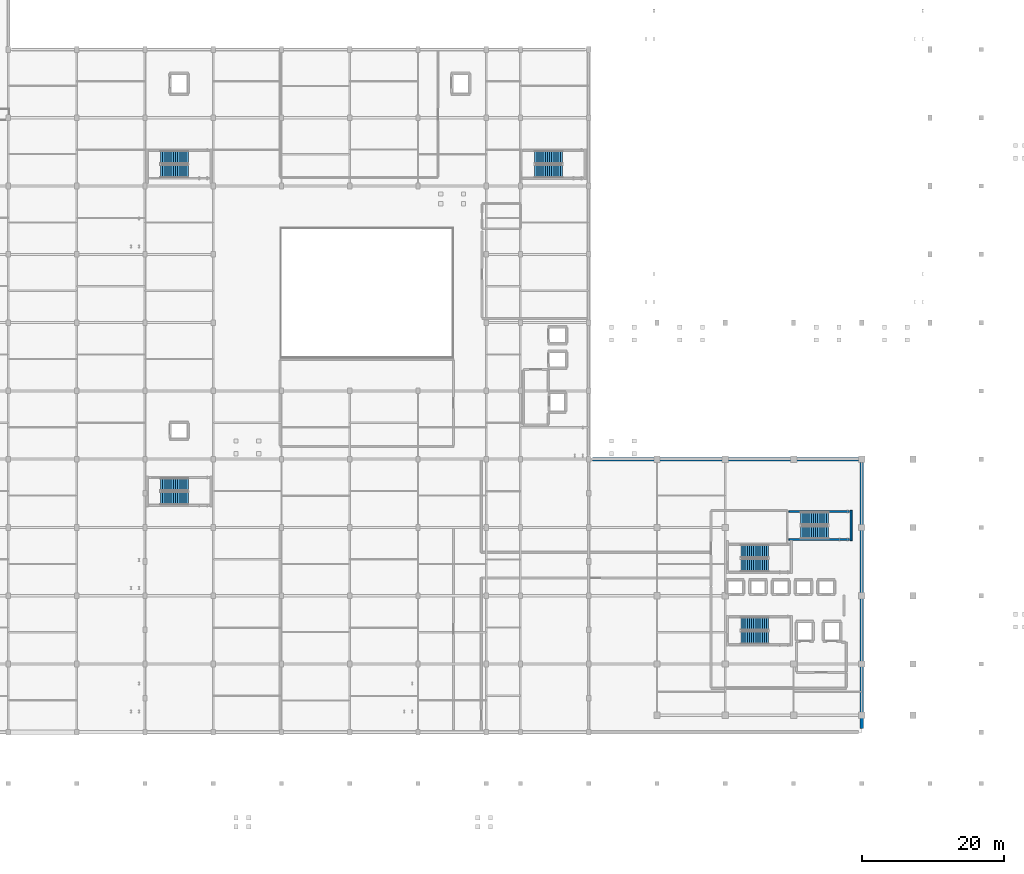
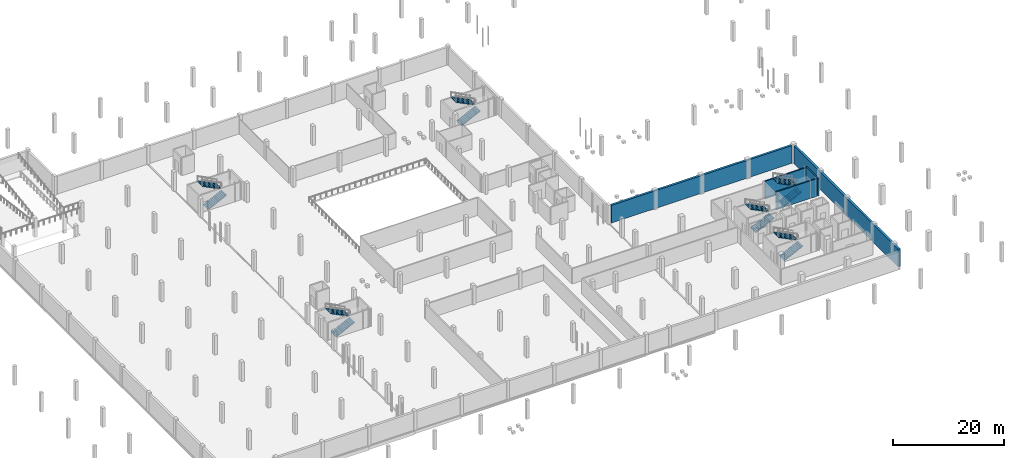
# One storey, part 37 of 47: 12 stair flights, 5 walls, 6 elements without a shape of their own.
"""IFC4 building model written with IfcOpenShell, lengths in metres."""

from ifc_helpers import new_model, si_unit, direction, frame, frame_2d, origin, place, context, subcontext, project, spatial, polyline, rectangle, outline, extrude, material, layer, layer_set, type_object, element, aggregate, save


model = new_model("IFC4")

# Units and contexts
model_context = context("Model", 3, precision=1e-05, world=origin(), true_north=direction((0.0, 1.0)))
body_context = subcontext(model_context, "Body", "Model", "MODEL_VIEW")
ifc_project = project(units=[si_unit("LENGTHUNIT", "METRE"), si_unit("AREAUNIT", "SQUARE_METRE"), si_unit("VOLUMEUNIT", "CUBIC_METRE"), si_unit("PLANEANGLEUNIT", "RADIAN"), si_unit("MASSUNIT", "GRAM", prefix="KILO")], contexts=[model_context])

# Site, building, storey
site_placement = place(None, origin())
site = spatial("IfcSite", under=ifc_project, at=site_placement, CompositionType="ELEMENT")
building_placement = place(site_placement, origin())
building = spatial("IfcBuilding", under=site, at=building_placement, Name="Zevrakil Square Congress Hotel", CompositionType="ELEMENT")
storey_placement = place(building_placement, frame((0.0, 0.0, -4.199951171875)))
storey = spatial("IfcBuildingStorey", under=building, at=storey_placement, Name="B1", CompositionType="ELEMENT", Elevation=-4.199951171875)

# Walls
ifc_material_1 = material(Name="Concrete C40/50", Category="concrete")
ifc_layer_1 = layer(ifc_material_1, 0.449951171875)
ifc_layer_set_1 = layer_set([ifc_layer_1], Name="Concrete C40/50")
wall_type_1 = type_object("IfcWallType", Name="WAL-RET-450", PredefinedType="SOLIDWALL", material=ifc_layer_set_1)
wall_1_placement = place(storey_placement, frame((156.0, 7.699951171875, 0.0), z_axis=(0.0, 0.0, 1.0), x_axis=(0.0, 1.0, 0.0)))
element("IfcWall", 1, at=wall_1_placement, inside=storey, type_object=wall_type_1, Name="B1 perimeter concrete retaining wall 2", PredefinedType="SOLIDWALL", context=body_context, shape_type="SweptSolid", body=[
    extrude(rectangle(XDim=37.400146484375, YDim=0.449951171875, at=frame_2d((18.7001953125, 0.0))), origin(), (0.0, 0.0, 1.0), 3.8798828125),
])
wall_2_placement = place(storey_placement, frame((155.5, 45.60009765625, 0.0), z_axis=(0.0, 0.0, 1.0), x_axis=(-1.0, 0.0, 0.0)))
element("IfcWall", 2, at=wall_2_placement, inside=storey, type_object=wall_type_1, Name="B1 perimeter concrete retaining wall 3", PredefinedType="SOLIDWALL", context=body_context, shape_type="SweptSolid", body=[
    extrude(rectangle(XDim=37.39990234375, YDim=0.449951171875, at=frame_2d((18.699951171875, 0.0))), origin(), (0.0, 0.0, 1.0), 3.8798828125),
])
ifc_material_2 = material(Name="Concrete C40/50", Category="concrete")
ifc_layer_2 = layer(ifc_material_2, 0.260009765625)
ifc_layer_set_2 = layer_set([ifc_layer_2], Name="Concrete C40/50")
wall_type_2 = type_object("IfcWallType", Name="WAL-SHAFT-260", PredefinedType="SHEAR", material=ifc_layer_set_2)
wall_3_placement = place(storey_placement, frame((154.4951171875, 34.139892578125, 0.0), z_axis=(0.0, 0.0, 1.0), x_axis=(0.0, 1.0, 0.0)))
element("IfcWall", 3, at=wall_3_placement, inside=storey, type_object=wall_type_2, Name="B1 ST03 stair shaft E wall", PredefinedType="SHEAR", context=body_context, shape_type="SweptSolid", body=[
    extrude(rectangle(XDim=4.27001953125, YDim=0.260009765625, at=frame_2d((2.135009765625, 0.0))), origin(), (0.0, 0.0, 1.0), 3.8798828125),
])
for number, where, z_axis, x_axis, name in (
    (4, (145.739990234375, 34.304931640625, 0.0), (0.0, 0.0, 1.0), (1.0, 0.0, 0.0), "B1 ST03 stair shaft S wall"),
    (5, (145.739990234375, 38.2451171875, 0.0), (0.0, 0.0, 1.0), (1.0, 0.0, 0.0), "B1 ST03 stair shaft N wall"),
):
    element("IfcWall", number, at=place(storey_placement, frame(where, z_axis=z_axis, x_axis=x_axis)), inside=storey, type_object=wall_type_2, Name=name, PredefinedType="SHEAR", context=body_context, shape_type="SweptSolid", body=[
        extrude(rectangle(XDim=8.52001953125, YDim=0.260009765625, at=frame_2d((4.260009765625, 0.0))), origin(), (0.0, 0.0, 1.0), 3.8798828125),
    ])

# Stair, stair flights
ifc_material_3 = material(Name="Concrete C35/45", Category="concrete")
stair_type = type_object("IfcStairType", Name="STR-DOGLEG-180", PredefinedType="HALF_TURN_STAIR", material=ifc_material_3)
stair_1_placement = place(storey_placement, origin())
stair_1 = element("IfcStair", 6, at=stair_1_placement, inside=storey, type_object=stair_type, Name="B1 Protected exit stair ST01", PredefinedType="HALF_TURN_STAIR")
ifc_material_4 = material(Name="Concrete C35/45", Category="concrete")
ifc_layer_3 = layer(ifc_material_4, 0.159912109375)
ifc_layer_set_3 = layer_set([ifc_layer_3], Name="Concrete C35/45")
stair_flight_type = type_object("IfcStairFlightType", Name="SFL-STRAIGHT-180", PredefinedType="STRAIGHT", material=ifc_layer_set_3)
stair_flight_1_placement = place(storey_placement, frame((139.0, 20.5, 0.0), z_axis=(0.0, 0.0, 1.0), x_axis=(1.0, 0.0, 0.0)))
stair_flight_1 = element("IfcStairFlight", 7, at=stair_flight_1_placement, type_object=stair_flight_type, Name="ST01 flight 1", NumberOfRisers=14, NumberOfTreads=13, PredefinedType="STRAIGHT", RiserHeight=0.15, TreadLength=0.3, context=body_context, shape_type="SweptSolid", body=[
    extrude(outline(polyline([(0.0, 0.0), (0.0, 0.14990234375), (0.300048828125, 0.14990234375), (0.300048828125, 0.300048828125), (0.60009765625, 0.300048828125), (0.60009765625, 0.449951171875), (0.89990234375, 0.449951171875), (0.89990234375, 0.60009765625), (1.199951171875, 0.60009765625), (1.199951171875, 0.75), (1.5, 0.75), (1.5, 0.89990234375), (1.800048828125, 0.89990234375), (1.800048828125, 1.050048828125), (2.10009765625, 1.050048828125), (2.10009765625, 1.199951171875), (2.39990234375, 1.199951171875), (2.39990234375, 1.35009765625), (2.699951171875, 1.35009765625), (2.699951171875, 1.5), (3.0, 1.5), (3.0, 1.64990234375), (3.300048828125, 1.64990234375), (3.300048828125, 1.800048828125), (3.60009765625, 1.800048828125), (3.60009765625, 1.949951171875), (3.89990234375, 1.949951171875), (3.89990234375, 2.10009765625), (3.89990234375, 1.782470703125), (0.335205078125, 0.0), (0.0, 0.0)])), frame((0.0, 0.89990234375, 0.0), z_axis=(0.0, -1.0, 0.0), x_axis=(1.0, 0.0, 0.0)), (0.0, 0.0, 1.0), 1.800048828125),
])
stair_flight_2_placement = place(storey_placement, frame((142.89990234375, 22.449951171875, 2.099853515625), z_axis=(0.0, 0.0, 1.0), x_axis=(-1.0, 0.0, 0.0)))
stair_flight_2 = element("IfcStairFlight", 8, at=stair_flight_2_placement, type_object=stair_flight_type, Name="ST01 flight 2", NumberOfRisers=14, NumberOfTreads=13, PredefinedType="STRAIGHT", RiserHeight=0.15, TreadLength=0.3, context=body_context, shape_type="SweptSolid", body=[
    extrude(outline(polyline([(0.0, 0.0), (0.0, 0.14990234375), (0.300048828125, 0.14990234375), (0.300048828125, 0.300048828125), (0.60009765625, 0.300048828125), (0.60009765625, 0.449951171875), (0.89990234375, 0.449951171875), (0.89990234375, 0.60009765625), (1.199951171875, 0.60009765625), (1.199951171875, 0.75), (1.5, 0.75), (1.5, 0.89990234375), (1.800048828125, 0.89990234375), (1.800048828125, 1.050048828125), (2.10009765625, 1.050048828125), (2.10009765625, 1.199951171875), (2.39990234375, 1.199951171875), (2.39990234375, 1.35009765625), (2.699951171875, 1.35009765625), (2.699951171875, 1.5), (3.0, 1.5), (3.0, 1.64990234375), (3.300048828125, 1.64990234375), (3.300048828125, 1.800048828125), (3.60009765625, 1.800048828125), (3.60009765625, 1.949951171875), (3.89990234375, 1.949951171875), (3.89990234375, 2.10009765625), (3.89990234375, 1.782470703125), (0.335205078125, 0.0), (0.0, 0.0)])), frame((0.0, 0.89990234375, 0.0), z_axis=(0.0, -1.0, 0.0), x_axis=(1.0, 0.0, 0.0)), (0.0, 0.0, 1.0), 1.800048828125),
])
aggregate(stair_1, [stair_flight_1, stair_flight_2])

stair_2_placement = place(storey_placement, origin())
stair_2 = element("IfcStair", 9, at=stair_2_placement, inside=storey, type_object=stair_type, Name="B1 Protected exit stair ST02", PredefinedType="HALF_TURN_STAIR")
stair_flight_3_placement = place(storey_placement, frame((139.0, 30.699951171875, 0.0), z_axis=(0.0, 0.0, 1.0), x_axis=(1.0, 0.0, 0.0)))
stair_flight_3 = element("IfcStairFlight", 10, at=stair_flight_3_placement, type_object=stair_flight_type, Name="ST02 flight 1", NumberOfRisers=14, NumberOfTreads=13, PredefinedType="STRAIGHT", RiserHeight=0.15, TreadLength=0.3, context=body_context, shape_type="SweptSolid", body=[
    extrude(outline(polyline([(0.0, 0.0), (0.0, 0.14990234375), (0.300048828125, 0.14990234375), (0.300048828125, 0.300048828125), (0.60009765625, 0.300048828125), (0.60009765625, 0.449951171875), (0.89990234375, 0.449951171875), (0.89990234375, 0.60009765625), (1.199951171875, 0.60009765625), (1.199951171875, 0.75), (1.5, 0.75), (1.5, 0.89990234375), (1.800048828125, 0.89990234375), (1.800048828125, 1.050048828125), (2.10009765625, 1.050048828125), (2.10009765625, 1.199951171875), (2.39990234375, 1.199951171875), (2.39990234375, 1.35009765625), (2.699951171875, 1.35009765625), (2.699951171875, 1.5), (3.0, 1.5), (3.0, 1.64990234375), (3.300048828125, 1.64990234375), (3.300048828125, 1.800048828125), (3.60009765625, 1.800048828125), (3.60009765625, 1.949951171875), (3.89990234375, 1.949951171875), (3.89990234375, 2.10009765625), (3.89990234375, 1.782470703125), (0.335205078125, 0.0), (0.0, 0.0)])), frame((0.0, 0.89990234375, 0.0), z_axis=(0.0, -1.0, 0.0), x_axis=(1.0, 0.0, 0.0)), (0.0, 0.0, 1.0), 1.800048828125),
])
stair_flight_4_placement = place(storey_placement, frame((142.89990234375, 32.64990234375, 2.099853515625), z_axis=(0.0, 0.0, 1.0), x_axis=(-1.0, 0.0, 0.0)))
stair_flight_4 = element("IfcStairFlight", 11, at=stair_flight_4_placement, type_object=stair_flight_type, Name="ST02 flight 2", NumberOfRisers=14, NumberOfTreads=13, PredefinedType="STRAIGHT", RiserHeight=0.15, TreadLength=0.3, context=body_context, shape_type="SweptSolid", body=[
    extrude(outline(polyline([(0.0, 0.0), (0.0, 0.14990234375), (0.300048828125, 0.14990234375), (0.300048828125, 0.300048828125), (0.60009765625, 0.300048828125), (0.60009765625, 0.449951171875), (0.89990234375, 0.449951171875), (0.89990234375, 0.60009765625), (1.199951171875, 0.60009765625), (1.199951171875, 0.75), (1.5, 0.75), (1.5, 0.89990234375), (1.800048828125, 0.89990234375), (1.800048828125, 1.050048828125), (2.10009765625, 1.050048828125), (2.10009765625, 1.199951171875), (2.39990234375, 1.199951171875), (2.39990234375, 1.35009765625), (2.699951171875, 1.35009765625), (2.699951171875, 1.5), (3.0, 1.5), (3.0, 1.64990234375), (3.300048828125, 1.64990234375), (3.300048828125, 1.800048828125), (3.60009765625, 1.800048828125), (3.60009765625, 1.949951171875), (3.89990234375, 1.949951171875), (3.89990234375, 2.10009765625), (3.89990234375, 1.782470703125), (0.335205078125, 0.0), (0.0, 0.0)])), frame((0.0, 0.89990234375, 0.0), z_axis=(0.0, -1.0, 0.0), x_axis=(1.0, 0.0, 0.0)), (0.0, 0.0, 1.0), 1.800048828125),
])
aggregate(stair_2, [stair_flight_3, stair_flight_4])

stair_3_placement = place(storey_placement, origin())
stair_3 = element("IfcStair", 12, at=stair_3_placement, inside=storey, type_object=stair_type, Name="B1 Protected exit stair ST03", PredefinedType="HALF_TURN_STAIR")
stair_flight_5_placement = place(storey_placement, frame((147.39990234375, 35.300048828125, 0.0), z_axis=(0.0, 0.0, 1.0), x_axis=(1.0, 0.0, 0.0)))
stair_flight_5 = element("IfcStairFlight", 13, at=stair_flight_5_placement, type_object=stair_flight_type, Name="ST03 flight 1", NumberOfRisers=14, NumberOfTreads=13, PredefinedType="STRAIGHT", RiserHeight=0.15, TreadLength=0.3, context=body_context, shape_type="SweptSolid", body=[
    extrude(outline(polyline([(0.0, 0.0), (0.0, 0.14990234375), (0.300048828125, 0.14990234375), (0.300048828125, 0.300048828125), (0.60009765625, 0.300048828125), (0.60009765625, 0.449951171875), (0.89990234375, 0.449951171875), (0.89990234375, 0.60009765625), (1.199951171875, 0.60009765625), (1.199951171875, 0.75), (1.5, 0.75), (1.5, 0.89990234375), (1.800048828125, 0.89990234375), (1.800048828125, 1.050048828125), (2.10009765625, 1.050048828125), (2.10009765625, 1.199951171875), (2.39990234375, 1.199951171875), (2.39990234375, 1.35009765625), (2.699951171875, 1.35009765625), (2.699951171875, 1.5), (3.0, 1.5), (3.0, 1.64990234375), (3.300048828125, 1.64990234375), (3.300048828125, 1.800048828125), (3.60009765625, 1.800048828125), (3.60009765625, 1.949951171875), (3.89990234375, 1.949951171875), (3.89990234375, 2.10009765625), (3.89990234375, 1.782470703125), (0.335205078125, 0.0), (0.0, 0.0)])), frame((0.0, 0.89990234375, 0.0), z_axis=(0.0, -1.0, 0.0), x_axis=(1.0, 0.0, 0.0)), (0.0, 0.0, 1.0), 1.800048828125),
])
stair_flight_6_placement = place(storey_placement, frame((151.300048828125, 37.25, 2.099853515625), z_axis=(0.0, 0.0, 1.0), x_axis=(-1.0, 0.0, 0.0)))
stair_flight_6 = element("IfcStairFlight", 14, at=stair_flight_6_placement, type_object=stair_flight_type, Name="ST03 flight 2", NumberOfRisers=14, NumberOfTreads=13, PredefinedType="STRAIGHT", RiserHeight=0.15, TreadLength=0.3, context=body_context, shape_type="SweptSolid", body=[
    extrude(outline(polyline([(0.0, 0.0), (0.0, 0.14990234375), (0.300048828125, 0.14990234375), (0.300048828125, 0.300048828125), (0.60009765625, 0.300048828125), (0.60009765625, 0.449951171875), (0.89990234375, 0.449951171875), (0.89990234375, 0.60009765625), (1.199951171875, 0.60009765625), (1.199951171875, 0.75), (1.5, 0.75), (1.5, 0.89990234375), (1.800048828125, 0.89990234375), (1.800048828125, 1.050048828125), (2.10009765625, 1.050048828125), (2.10009765625, 1.199951171875), (2.39990234375, 1.199951171875), (2.39990234375, 1.35009765625), (2.699951171875, 1.35009765625), (2.699951171875, 1.5), (3.0, 1.5), (3.0, 1.64990234375), (3.300048828125, 1.64990234375), (3.300048828125, 1.800048828125), (3.60009765625, 1.800048828125), (3.60009765625, 1.949951171875), (3.89990234375, 1.949951171875), (3.89990234375, 2.10009765625), (3.89990234375, 1.782470703125), (0.335205078125, 0.0), (0.0, 0.0)])), frame((0.0, 0.89990234375, 0.0), z_axis=(0.0, -1.0, 0.0), x_axis=(1.0, 0.0, 0.0)), (0.0, 0.0, 1.0), 1.800048828125),
])
aggregate(stair_3, [stair_flight_5, stair_flight_6])

stair_4_placement = place(storey_placement, origin())
stair_4 = element("IfcStair", 15, at=stair_4_placement, inside=storey, type_object=stair_type, Name="B1 Protected exit stair ST04", PredefinedType="HALF_TURN_STAIR")
stair_flight_7_placement = place(storey_placement, frame((57.39990234375, 40.10009765625, 0.0), z_axis=(0.0, 0.0, 1.0), x_axis=(1.0, 0.0, 0.0)))
stair_flight_7 = element("IfcStairFlight", 16, at=stair_flight_7_placement, type_object=stair_flight_type, Name="ST04 flight 1", NumberOfRisers=14, NumberOfTreads=13, PredefinedType="STRAIGHT", RiserHeight=0.15, TreadLength=0.3, context=body_context, shape_type="SweptSolid", body=[
    extrude(outline(polyline([(0.0, 0.0), (0.0, 0.14990234375), (0.300048828125, 0.14990234375), (0.300048828125, 0.300048828125), (0.60009765625, 0.300048828125), (0.60009765625, 0.449951171875), (0.89990234375, 0.449951171875), (0.89990234375, 0.60009765625), (1.199951171875, 0.60009765625), (1.199951171875, 0.75), (1.5, 0.75), (1.5, 0.89990234375), (1.800048828125, 0.89990234375), (1.800048828125, 1.050048828125), (2.10009765625, 1.050048828125), (2.10009765625, 1.199951171875), (2.39990234375, 1.199951171875), (2.39990234375, 1.35009765625), (2.699951171875, 1.35009765625), (2.699951171875, 1.5), (3.0, 1.5), (3.0, 1.64990234375), (3.300048828125, 1.64990234375), (3.300048828125, 1.800048828125), (3.60009765625, 1.800048828125), (3.60009765625, 1.949951171875), (3.89990234375, 1.949951171875), (3.89990234375, 2.10009765625), (3.89990234375, 1.782470703125), (0.335205078125, 0.0), (0.0, 0.0)])), frame((0.0, 0.89990234375, 0.0), z_axis=(0.0, -1.0, 0.0), x_axis=(1.0, 0.0, 0.0)), (0.0, 0.0, 1.0), 1.800048828125),
])
stair_flight_8_placement = place(storey_placement, frame((61.300048828125, 42.050048828125, 2.099853515625), z_axis=(0.0, 0.0, 1.0), x_axis=(-1.0, 0.0, 0.0)))
stair_flight_8 = element("IfcStairFlight", 17, at=stair_flight_8_placement, type_object=stair_flight_type, Name="ST04 flight 2", NumberOfRisers=14, NumberOfTreads=13, PredefinedType="STRAIGHT", RiserHeight=0.15, TreadLength=0.3, context=body_context, shape_type="SweptSolid", body=[
    extrude(outline(polyline([(0.0, 0.0), (0.0, 0.14990234375), (0.300048828125, 0.14990234375), (0.300048828125, 0.300048828125), (0.60009765625, 0.300048828125), (0.60009765625, 0.449951171875), (0.89990234375, 0.449951171875), (0.89990234375, 0.60009765625), (1.199951171875, 0.60009765625), (1.199951171875, 0.75), (1.5, 0.75), (1.5, 0.89990234375), (1.800048828125, 0.89990234375), (1.800048828125, 1.050048828125), (2.10009765625, 1.050048828125), (2.10009765625, 1.199951171875), (2.39990234375, 1.199951171875), (2.39990234375, 1.35009765625), (2.699951171875, 1.35009765625), (2.699951171875, 1.5), (3.0, 1.5), (3.0, 1.64990234375), (3.300048828125, 1.64990234375), (3.300048828125, 1.800048828125), (3.60009765625, 1.800048828125), (3.60009765625, 1.949951171875), (3.89990234375, 1.949951171875), (3.89990234375, 2.10009765625), (3.89990234375, 1.782470703125), (0.335205078125, 0.0), (0.0, 0.0)])), frame((0.0, 0.89990234375, 0.0), z_axis=(0.0, -1.0, 0.0), x_axis=(1.0, 0.0, 0.0)), (0.0, 0.0, 1.0), 1.800048828125),
])
aggregate(stair_4, [stair_flight_7, stair_flight_8])

stair_5_placement = place(storey_placement, origin())
stair_5 = element("IfcStair", 18, at=stair_5_placement, inside=storey, type_object=stair_type, Name="B1 Protected exit stair ST05", PredefinedType="HALF_TURN_STAIR")
stair_flight_9_placement = place(storey_placement, frame((57.39990234375, 86.10009765625, 0.0), z_axis=(0.0, 0.0, 1.0), x_axis=(1.0, 0.0, 0.0)))
stair_flight_9 = element("IfcStairFlight", 19, at=stair_flight_9_placement, type_object=stair_flight_type, Name="ST05 flight 1", NumberOfRisers=14, NumberOfTreads=13, PredefinedType="STRAIGHT", RiserHeight=0.15, TreadLength=0.3, context=body_context, shape_type="SweptSolid", body=[
    extrude(outline(polyline([(0.0, 0.0), (0.0, 0.14990234375), (0.300048828125, 0.14990234375), (0.300048828125, 0.300048828125), (0.60009765625, 0.300048828125), (0.60009765625, 0.449951171875), (0.89990234375, 0.449951171875), (0.89990234375, 0.60009765625), (1.199951171875, 0.60009765625), (1.199951171875, 0.75), (1.5, 0.75), (1.5, 0.89990234375), (1.800048828125, 0.89990234375), (1.800048828125, 1.050048828125), (2.10009765625, 1.050048828125), (2.10009765625, 1.199951171875), (2.39990234375, 1.199951171875), (2.39990234375, 1.35009765625), (2.699951171875, 1.35009765625), (2.699951171875, 1.5), (3.0, 1.5), (3.0, 1.64990234375), (3.300048828125, 1.64990234375), (3.300048828125, 1.800048828125), (3.60009765625, 1.800048828125), (3.60009765625, 1.949951171875), (3.89990234375, 1.949951171875), (3.89990234375, 2.10009765625), (3.89990234375, 1.782470703125), (0.335205078125, 0.0), (0.0, 0.0)])), frame((0.0, 0.89990234375, 0.0), z_axis=(0.0, -1.0, 0.0), x_axis=(1.0, 0.0, 0.0)), (0.0, 0.0, 1.0), 1.800048828125),
])
stair_flight_10_placement = place(storey_placement, frame((61.300048828125, 88.050048828125, 2.099853515625), z_axis=(0.0, 0.0, 1.0), x_axis=(-1.0, 0.0, 0.0)))
stair_flight_10 = element("IfcStairFlight", 20, at=stair_flight_10_placement, type_object=stair_flight_type, Name="ST05 flight 2", NumberOfRisers=14, NumberOfTreads=13, PredefinedType="STRAIGHT", RiserHeight=0.15, TreadLength=0.3, context=body_context, shape_type="SweptSolid", body=[
    extrude(outline(polyline([(0.0, 0.0), (0.0, 0.14990234375), (0.300048828125, 0.14990234375), (0.300048828125, 0.300048828125), (0.60009765625, 0.300048828125), (0.60009765625, 0.449951171875), (0.89990234375, 0.449951171875), (0.89990234375, 0.60009765625), (1.199951171875, 0.60009765625), (1.199951171875, 0.75), (1.5, 0.75), (1.5, 0.89990234375), (1.800048828125, 0.89990234375), (1.800048828125, 1.050048828125), (2.10009765625, 1.050048828125), (2.10009765625, 1.199951171875), (2.39990234375, 1.199951171875), (2.39990234375, 1.35009765625), (2.699951171875, 1.35009765625), (2.699951171875, 1.5), (3.0, 1.5), (3.0, 1.64990234375), (3.300048828125, 1.64990234375), (3.300048828125, 1.800048828125), (3.60009765625, 1.800048828125), (3.60009765625, 1.949951171875), (3.89990234375, 1.949951171875), (3.89990234375, 2.10009765625), (3.89990234375, 1.782470703125), (0.335205078125, 0.0), (0.0, 0.0)])), frame((0.0, 0.89990234375, 0.0), z_axis=(0.0, -1.0, 0.0), x_axis=(1.0, 0.0, 0.0)), (0.0, 0.0, 1.0), 1.800048828125),
])
aggregate(stair_5, [stair_flight_9, stair_flight_10])

stair_6_placement = place(storey_placement, origin())
stair_6 = element("IfcStair", 21, at=stair_6_placement, inside=storey, type_object=stair_type, Name="B1 Protected exit stair ST06", PredefinedType="HALF_TURN_STAIR")
stair_flight_11_placement = place(storey_placement, frame((110.0, 86.10009765625, 0.0), z_axis=(0.0, 0.0, 1.0), x_axis=(1.0, 0.0, 0.0)))
stair_flight_11 = element("IfcStairFlight", 22, at=stair_flight_11_placement, type_object=stair_flight_type, Name="ST06 flight 1", NumberOfRisers=14, NumberOfTreads=13, PredefinedType="STRAIGHT", RiserHeight=0.15, TreadLength=0.3, context=body_context, shape_type="SweptSolid", body=[
    extrude(outline(polyline([(0.0, 0.0), (0.0, 0.14990234375), (0.300048828125, 0.14990234375), (0.300048828125, 0.300048828125), (0.60009765625, 0.300048828125), (0.60009765625, 0.449951171875), (0.89990234375, 0.449951171875), (0.89990234375, 0.60009765625), (1.199951171875, 0.60009765625), (1.199951171875, 0.75), (1.5, 0.75), (1.5, 0.89990234375), (1.800048828125, 0.89990234375), (1.800048828125, 1.050048828125), (2.10009765625, 1.050048828125), (2.10009765625, 1.199951171875), (2.39990234375, 1.199951171875), (2.39990234375, 1.35009765625), (2.699951171875, 1.35009765625), (2.699951171875, 1.5), (3.0, 1.5), (3.0, 1.64990234375), (3.300048828125, 1.64990234375), (3.300048828125, 1.800048828125), (3.60009765625, 1.800048828125), (3.60009765625, 1.949951171875), (3.89990234375, 1.949951171875), (3.89990234375, 2.10009765625), (3.89990234375, 1.782470703125), (0.335205078125, 0.0), (0.0, 0.0)])), frame((0.0, 0.89990234375, 0.0), z_axis=(0.0, -1.0, 0.0), x_axis=(1.0, 0.0, 0.0)), (0.0, 0.0, 1.0), 1.800048828125),
])
stair_flight_12_placement = place(storey_placement, frame((113.89990234375, 88.050048828125, 2.099853515625), z_axis=(0.0, 0.0, 1.0), x_axis=(-1.0, 0.0, 0.0)))
stair_flight_12 = element("IfcStairFlight", 23, at=stair_flight_12_placement, type_object=stair_flight_type, Name="ST06 flight 2", NumberOfRisers=14, NumberOfTreads=13, PredefinedType="STRAIGHT", RiserHeight=0.15, TreadLength=0.3, context=body_context, shape_type="SweptSolid", body=[
    extrude(outline(polyline([(0.0, 0.0), (0.0, 0.14990234375), (0.300048828125, 0.14990234375), (0.300048828125, 0.300048828125), (0.60009765625, 0.300048828125), (0.60009765625, 0.449951171875), (0.89990234375, 0.449951171875), (0.89990234375, 0.60009765625), (1.199951171875, 0.60009765625), (1.199951171875, 0.75), (1.5, 0.75), (1.5, 0.89990234375), (1.800048828125, 0.89990234375), (1.800048828125, 1.050048828125), (2.10009765625, 1.050048828125), (2.10009765625, 1.199951171875), (2.39990234375, 1.199951171875), (2.39990234375, 1.35009765625), (2.699951171875, 1.35009765625), (2.699951171875, 1.5), (3.0, 1.5), (3.0, 1.64990234375), (3.300048828125, 1.64990234375), (3.300048828125, 1.800048828125), (3.60009765625, 1.800048828125), (3.60009765625, 1.949951171875), (3.89990234375, 1.949951171875), (3.89990234375, 2.10009765625), (3.89990234375, 1.782470703125), (0.335205078125, 0.0), (0.0, 0.0)])), frame((0.0, 0.89990234375, 0.0), z_axis=(0.0, -1.0, 0.0), x_axis=(1.0, 0.0, 0.0)), (0.0, 0.0, 1.0), 1.800048828125),
])
aggregate(stair_6, [stair_flight_11, stair_flight_12])

save(model, "model.ifc")
